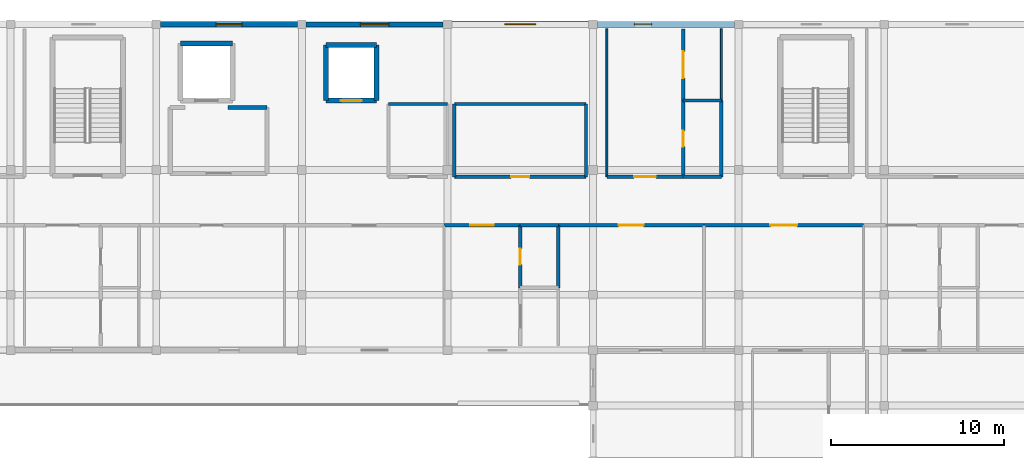
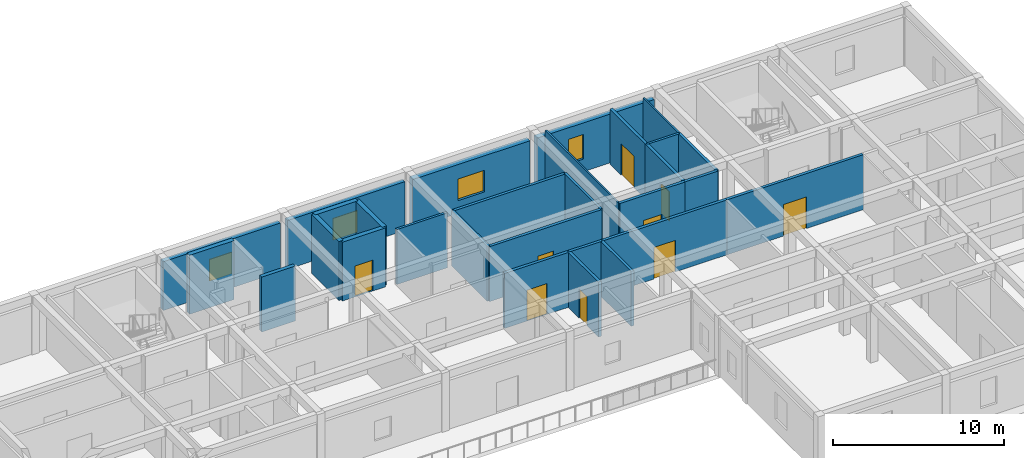
# One storey, part 17 of 26: 29 walls, 9 doors, 4 windows, 13 openings.
"""IFC4 building model written with IfcOpenShell, lengths in metres."""

from ifc_helpers import new_model, si_unit, direction, frame, frame_2d, origin, place, context, subcontext, project, spatial, rectangle, extrude, material, layer, layer_set, type_object, element, fill, save


model = new_model("IFC4")

# Units and contexts
model_context = context("Model", 3, precision=1e-05, world=origin(), true_north=direction((0.0, 1.0)))
body_context = subcontext(model_context, "Body", "Model", "MODEL_VIEW")
ifc_project = project(units=[si_unit("LENGTHUNIT", "METRE"), si_unit("AREAUNIT", "SQUARE_METRE"), si_unit("VOLUMEUNIT", "CUBIC_METRE"), si_unit("PLANEANGLEUNIT", "RADIAN"), si_unit("MASSUNIT", "GRAM", prefix="KILO")], contexts=[model_context])

# Site, building, storey
site_placement = place(None, origin())
site = spatial("IfcSite", under=ifc_project, at=site_placement, CompositionType="ELEMENT")
building_placement = place(site_placement, origin())
building = spatial("IfcBuilding", under=site, at=building_placement, Name="Varncliffe General Hospital", CompositionType="ELEMENT")
storey_placement = place(building_placement, frame((0.0, 0.0, 28.800048828125)))
storey = spatial("IfcBuildingStorey", under=building, at=storey_placement, Name="L06", CompositionType="ELEMENT", Elevation=28.800048828125)

# Wall, opening, window
ifc_material_1 = material(Name="Precast concrete C40/50 with insulated cream lime-cement stucco", Category="concrete")
ifc_layer_1 = layer(ifc_material_1, 0.31005859375)
ifc_layer_set_1 = layer_set([ifc_layer_1], Name="Precast concrete C40/50 with insulated cream lime-cement stucco")
wall_type_1 = type_object("IfcWallType", Name="Exterior Insulated Stucco Wall EW20 (310mm)", PredefinedType="SOLIDWALL", material=ifc_layer_set_1)
wall_1_placement = place(storey_placement, frame((126.248046875, 124.800048828125, 0.0), z_axis=(0.0, 0.0, 1.0), x_axis=(1.0, 0.0, 0.0)))
wall_1 = element("IfcWall", 1, at=wall_1_placement, inside=storey, type_object=wall_type_1, Name="L06 Exterior Stucco Wall EW20-519", PredefinedType="SOLIDWALL", context=body_context, shape_type="SweptSolid", body=[
    extrude(rectangle(XDim=7.904052734375, YDim=0.31005859375, at=frame_2d((3.9521484375, 0.0))), origin(), (0.0, 0.0, 1.0), 3.47998046875),
])
opening_1_placement = place(wall_1_placement, frame((3.201904296875, 0.0, 0.89990234375)))
opening_1 = element("IfcOpeningElement", 2, at=opening_1_placement, cuts=wall_1, Name="Opening WN75", PredefinedType="OPENING", context=body_context, shape_type="SweptSolid", body=[
    extrude(rectangle(XDim=1.5, YDim=1.550048828125, at=frame_2d((0.75, 0.77490234375))), frame((0.0, 0.1650390625, 0.0), z_axis=(0.0, -1.0, 0.0), x_axis=(1.0, 0.0, 0.0)), (0.0, 0.0, 1.0), 0.330078125),
])
ifc_material_2 = material(Name="Triple low-E argon insulated vision glazing", Category="glass")
window_type_1 = type_object("IfcWindowType", Name="Triple-Glazed Hospital Window WN75 (1500x1550)", PartitioningType="SINGLE_PANEL", PredefinedType="WINDOW", material=ifc_material_2)
window_1_placement = place(opening_1_placement, origin())
window_1 = element("IfcWindow", 3, at=window_1_placement, inside=storey, type_object=window_type_1, Name="L06 Hospital Window WN75-408", OverallHeight=1.550048828125, OverallWidth=1.5, PartitioningType="SINGLE_PANEL", PredefinedType="WINDOW", context=body_context, shape_type="SweptSolid", body=[
    extrude(rectangle(XDim=1.5, YDim=1.550048828125, at=frame_2d((0.75, 0.77490234375))), frame((0.0, 0.030029296875, 0.0), z_axis=(0.0, -1.0, 0.0), x_axis=(1.0, 0.0, 0.0)), (0.0, 0.0, 1.0), 0.06005859375),
])
fill(opening_1, window_1)

ifc_layer_2 = layer(ifc_material_1, 0.3798828125)
ifc_layer_set_2 = layer_set([ifc_layer_2], Name="Precast concrete C40/50 with insulated cream lime-cement stucco")
wall_type_2 = type_object("IfcWallType", Name="Exterior Insulated Stucco Wall EW26 (380mm)", PredefinedType="SOLIDWALL", material=ifc_layer_set_2)
wall_2_placement = place(storey_placement, frame((143.048095703125, 124.800048828125, 0.0), z_axis=(0.0, 0.0, 1.0), x_axis=(1.0, 0.0, 0.0)))
wall_2 = element("IfcWall", 4, at=wall_2_placement, inside=storey, type_object=wall_type_2, Name="L06 Exterior Stucco Wall EW26-521", PredefinedType="SOLIDWALL", context=body_context, shape_type="SweptSolid", body=[
    extrude(rectangle(XDim=7.90380859375, YDim=0.3798828125, at=frame_2d((3.951904296875, 0.0))), origin(), (0.0, 0.0, 1.0), 3.47998046875),
])
opening_2_placement = place(wall_2_placement, frame((3.052001953125, 0.0, 0.89990234375)))
opening_2 = element("IfcOpeningElement", 5, at=opening_2_placement, cuts=wall_2, Name="Opening WN52", PredefinedType="OPENING", context=body_context, shape_type="SweptSolid", body=[
    extrude(rectangle(XDim=1.800048828125, YDim=1.550048828125, at=frame_2d((0.89990234375, 0.77490234375))), frame((0.0, 0.199951171875, 0.0), z_axis=(0.0, -1.0, 0.0), x_axis=(1.0, 0.0, 0.0)), (0.0, 0.0, 1.0), 0.39990234375),
])
window_type_2 = type_object("IfcWindowType", Name="Triple-Glazed Hospital Window WN52 (1800x1550)", PartitioningType="DOUBLE_PANEL_VERTICAL", PredefinedType="WINDOW", material=ifc_material_2)
window_2_placement = place(opening_2_placement, origin())
window_2 = element("IfcWindow", 6, at=window_2_placement, inside=storey, type_object=window_type_2, Name="L06 Hospital Window WN52-410", OverallHeight=1.550048828125, OverallWidth=1.800048828125, PartitioningType="DOUBLE_PANEL_VERTICAL", PredefinedType="WINDOW", context=body_context, shape_type="SweptSolid", body=[
    extrude(rectangle(XDim=1.800048828125, YDim=1.550048828125, at=frame_2d((0.89990234375, 0.77490234375))), frame((0.0, 0.030029296875, 0.0), z_axis=(0.0, -1.0, 0.0), x_axis=(1.0, 0.0, 0.0)), (0.0, 0.0, 1.0), 0.06005859375),
])
fill(opening_2, window_2)

ifc_layer_3 = layer(ifc_material_1, 0.2900390625)
ifc_layer_set_3 = layer_set([ifc_layer_3], Name="Precast concrete C40/50 with insulated cream lime-cement stucco")
wall_type_3 = type_object("IfcWallType", Name="Exterior Insulated Stucco Wall EW31 (290mm)", PredefinedType="SOLIDWALL", material=ifc_layer_set_3)
wall_3_placement = place(storey_placement, frame((134.64794921875, 124.800048828125, 0.0), z_axis=(0.0, 0.0, 1.0), x_axis=(1.0, 0.0, 0.0)))
wall_3 = element("IfcWall", 7, at=wall_3_placement, inside=storey, type_object=wall_type_3, Name="L06 Exterior Stucco Wall EW31-520", PredefinedType="SOLIDWALL", context=body_context, shape_type="SweptSolid", body=[
    extrude(rectangle(XDim=7.904052734375, YDim=0.2900390625, at=frame_2d((3.9521484375, 0.0))), origin(), (0.0, 0.0, 1.0), 3.47998046875),
])
opening_3_placement = place(wall_3_placement, frame((3.126953125, 0.0, 0.89990234375)))
opening_3 = element("IfcOpeningElement", 8, at=opening_3_placement, cuts=wall_3, Name="Opening WN20", PredefinedType="OPENING", context=body_context, shape_type="SweptSolid", body=[
    extrude(rectangle(XDim=1.64990234375, YDim=1.550048828125, at=frame_2d((0.824951171875, 0.77490234375))), frame((0.0, 0.155029296875, 0.0), z_axis=(0.0, -1.0, 0.0), x_axis=(1.0, 0.0, 0.0)), (0.0, 0.0, 1.0), 0.31005859375),
])
window_type_3 = type_object("IfcWindowType", Name="Triple-Glazed Hospital Window WN20 (1650x1550)", PartitioningType="DOUBLE_PANEL_VERTICAL", PredefinedType="WINDOW", material=ifc_material_2)
window_3_placement = place(opening_3_placement, origin())
window_3 = element("IfcWindow", 9, at=window_3_placement, inside=storey, type_object=window_type_3, Name="L06 Hospital Window WN20-409", OverallHeight=1.550048828125, OverallWidth=1.64990234375, PartitioningType="DOUBLE_PANEL_VERTICAL", PredefinedType="WINDOW", context=body_context, shape_type="SweptSolid", body=[
    extrude(rectangle(XDim=1.64990234375, YDim=1.550048828125, at=frame_2d((0.824951171875, 0.77490234375))), frame((0.0, 0.030029296875, 0.0), z_axis=(0.0, -1.0, 0.0), x_axis=(1.0, 0.0, 0.0)), (0.0, 0.0, 1.0), 0.06005859375),
])
fill(opening_3, window_3)

ifc_layer_4 = layer(ifc_material_1, 0.35009765625)
ifc_layer_set_4 = layer_set([ifc_layer_4], Name="Precast concrete C40/50 with insulated cream lime-cement stucco")
wall_type_4 = type_object("IfcWallType", Name="Exterior Insulated Stucco Wall EW37 (350mm)", PredefinedType="SOLIDWALL", material=ifc_layer_set_4)
wall_4_placement = place(storey_placement, frame((151.447998046875, 124.800048828125, 0.0), z_axis=(0.0, 0.0, 1.0), x_axis=(1.0, 0.0, 0.0)))
wall_4 = element("IfcWall", 10, at=wall_4_placement, inside=storey, type_object=wall_type_4, Name="L06 Exterior Stucco Wall EW37-522", PredefinedType="SOLIDWALL", context=body_context, shape_type="SweptSolid", body=[
    extrude(rectangle(XDim=7.904052734375, YDim=0.35009765625, at=frame_2d((3.9521484375, 0.0))), origin(), (0.0, 0.0, 1.0), 3.47998046875),
])
opening_4_placement = place(wall_4_placement, frame((2.131103515625, 0.0, 0.89990234375)))
opening_4 = element("IfcOpeningElement", 11, at=opening_4_placement, cuts=wall_4, Name="Opening WN53", PredefinedType="OPENING", context=body_context, shape_type="SweptSolid", body=[
    extrude(rectangle(XDim=1.0, YDim=1.75, at=frame_2d((0.5, 0.875))), frame((0.0, 0.18505859375, 0.0), z_axis=(0.0, -1.0, 0.0), x_axis=(1.0, 0.0, 0.0)), (0.0, 0.0, 1.0), 0.3701171875),
])
window_type_4 = type_object("IfcWindowType", Name="Triple-Glazed Hospital Window WN53 (1000x1750)", PartitioningType="SINGLE_PANEL", PredefinedType="WINDOW", material=ifc_material_2)
window_4_placement = place(opening_4_placement, origin())
window_4 = element("IfcWindow", 12, at=window_4_placement, inside=storey, type_object=window_type_4, Name="L06 Hospital Window WN53-411", OverallHeight=1.75, OverallWidth=1.0, PartitioningType="SINGLE_PANEL", PredefinedType="WINDOW", context=body_context, shape_type="SweptSolid", body=[
    extrude(rectangle(XDim=1.0, YDim=1.75, at=frame_2d((0.5, 0.875))), frame((0.0, 0.030029296875, 0.0), z_axis=(0.0, -1.0, 0.0), x_axis=(1.0, 0.0, 0.0)), (0.0, 0.0, 1.0), 0.06005859375),
])
fill(opening_4, window_4)

# Walls
ifc_material_3 = material(Name="Acoustic clinical gypsum stud partition assembly", Category="gypsum")
ifc_layer_5 = layer(ifc_material_3, 0.110107421875)
ifc_layer_set_5 = layer_set([ifc_layer_5], Name="Acoustic clinical gypsum stud partition assembly")
wall_type_5 = type_object("IfcWallType", Name="Interior Partitioning IW65 (110mm)", PredefinedType="PARTITIONING", material=ifc_layer_set_5)
wall_5_placement = place(storey_placement, frame((152.0, 116.0, 0.0), z_axis=(0.0, 0.0, 1.0), x_axis=(0.0, 1.0, 0.0)))
element("IfcWall", 13, at=wall_5_placement, inside=storey, type_object=wall_type_5, Name="L06 Interior Partition Wall IW65-2312", PredefinedType="PARTITIONING", context=body_context, shape_type="SweptSolid", body=[
    extrude(rectangle(XDim=8.5400390625, YDim=0.110107421875, at=frame_2d((4.27001953125, 0.0))), origin(), (0.0, 0.0, 1.0), 3.919921875),
])
wall_6_placement = place(storey_placement, frame((158.60009765625, 120.39990234375, 0.0), z_axis=(0.0, 0.0, 1.0), x_axis=(0.0, 1.0, 0.0)))
element("IfcWall", 14, at=wall_6_placement, inside=storey, type_object=wall_type_5, Name="L06 Interior Partition Wall IW65-2317", PredefinedType="PARTITIONING", context=body_context, shape_type="SweptSolid", body=[
    extrude(rectangle(XDim=4.14013671875, YDim=0.110107421875, at=frame_2d((2.070068359375, 0.0))), origin(), (0.0, 0.0, 1.0), 3.919921875),
])
ifc_material_4 = material(Name="Fire-rated gypsum and mineral-wool partition assembly", Category="gypsum")
ifc_layer_6 = layer(ifc_material_4, 0.25)
ifc_layer_set_6 = layer_set([ifc_layer_6], Name="Fire-rated gypsum and mineral-wool partition assembly")
wall_type_6 = type_object("IfcWallType", Name="Interior Partitioning PW38 (250mm)", PredefinedType="PARTITIONING", material=ifc_layer_set_6)
wall_7_placement = place(storey_placement, frame((130.135986328125, 120.0, 0.0), z_axis=(0.0, 0.0, 1.0), x_axis=(1.0, 0.0, 0.0)))
element("IfcWall", 15, at=wall_7_placement, inside=storey, type_object=wall_type_6, Name="L06 Interior Partition Wall PW38-2253", PredefinedType="PARTITIONING", context=body_context, shape_type="SweptSolid", body=[
    extrude(rectangle(XDim=2.263916015625, YDim=0.25, at=frame_2d((1.1318359375, 0.0))), origin(), (0.0, 0.0, 1.0), 3.919921875),
])

# Wall, opening, door
ifc_layer_7 = layer(ifc_material_4, 0.199951171875)
ifc_layer_set_7 = layer_set([ifc_layer_7], Name="Fire-rated gypsum and mineral-wool partition assembly")
wall_type_7 = type_object("IfcWallType", Name="Interior Partitioning PW63 (200mm)", PredefinedType="PARTITIONING", material=ifc_layer_set_7)
wall_8_placement = place(storey_placement, frame((142.60009765625, 113.199951171875, 0.0), z_axis=(0.0, 0.0, 1.0), x_axis=(1.0, 0.0, 0.0)))
wall_8 = element("IfcWall", 16, at=wall_8_placement, inside=storey, type_object=wall_type_7, Name="L06 Interior Partition Wall PW63-2229", PredefinedType="PARTITIONING", context=body_context, shape_type="SweptSolid", body=[
    extrude(rectangle(XDim=4.39990234375, YDim=0.199951171875, at=frame_2d((2.199951171875, 0.0))), origin(), (0.0, 0.0, 1.0), 3.919921875),
])
opening_5_placement = place(wall_8_placement, frame((1.52490234375, 0.0, 0.0)))
opening_5 = element("IfcOpeningElement", 17, at=opening_5_placement, cuts=wall_8, Name="Opening DC85", PredefinedType="OPENING", context=body_context, shape_type="SweptSolid", body=[
    extrude(rectangle(XDim=1.35009765625, YDim=2.199951171875, at=frame_2d((0.675048828125, 1.10009765625))), frame((0.0, 0.10986328125, 0.0), z_axis=(0.0, -1.0, 0.0), x_axis=(1.0, 0.0, 0.0)), (0.0, 0.0, 1.0), 0.219970703125),
])
ifc_material_5 = material(Name="Fire-rated hospital steel-frame vision-panel door", Category="steel")
door_type_1 = type_object("IfcDoorType", Name="Interior Hospital Door DC85 (1350x2200)", OperationType="NOTDEFINED", PredefinedType="DOOR", material=ifc_material_5)
door_1_placement = place(opening_5_placement, frame((1.35009765625, 0.0, 0.0), z_axis=(0.0, 0.0, 1.0), x_axis=(-1.0, 0.0, 0.0)))
door_1 = element("IfcDoor", 18, at=door_1_placement, inside=storey, type_object=door_type_1, Name="L06 Paediatric Inpatient Bedroom 38 Door", OperationType="SINGLE_SWING_RIGHT", OverallHeight=2.199951171875, OverallWidth=1.35009765625, PredefinedType="DOOR", context=body_context, shape_type="SweptSolid", body=[
    extrude(rectangle(XDim=1.35009765625, YDim=2.199951171875, at=frame_2d((0.675048828125, 1.10009765625))), frame((0.0, 0.02490234375, 0.0), z_axis=(0.0, -1.0, 0.0), x_axis=(1.0, 0.0, 0.0)), (0.0, 0.0, 1.0), 0.050048828125),
])
fill(opening_5, door_1)

wall_9_placement = place(storey_placement, frame((149.199951171875, 113.199951171875, 0.0), z_axis=(0.0, 0.0, 1.0), x_axis=(1.0, 0.0, 0.0)))
wall_9 = element("IfcWall", 19, at=wall_9_placement, inside=storey, type_object=wall_type_7, Name="L06 Interior Partition Wall PW63-2231", PredefinedType="PARTITIONING", context=body_context, shape_type="SweptSolid", body=[
    extrude(rectangle(XDim=8.400146484375, YDim=0.199951171875, at=frame_2d((4.2001953125, 0.0))), origin(), (0.0, 0.0, 1.0), 3.919921875),
])
opening_6_placement = place(wall_9_placement, frame((3.47509765625, 0.0, 0.0)))
opening_6 = element("IfcOpeningElement", 20, at=opening_6_placement, cuts=wall_9, Name="Opening DC66", PredefinedType="OPENING", context=body_context, shape_type="SweptSolid", body=[
    extrude(rectangle(XDim=1.449951171875, YDim=2.25, at=frame_2d((0.72509765625, 1.125))), frame((0.0, 0.10986328125, 0.0), z_axis=(0.0, -1.0, 0.0), x_axis=(1.0, 0.0, 0.0)), (0.0, 0.0, 1.0), 0.219970703125),
])
door_type_2 = type_object("IfcDoorType", Name="Interior Hospital Door DC66 (1450x2250)", OperationType="NOTDEFINED", PredefinedType="DOOR", material=ifc_material_5)
door_2_placement = place(opening_6_placement, frame((1.449951171875, 0.0, 0.0), z_axis=(0.0, 0.0, 1.0), x_axis=(-1.0, 0.0, 0.0)))
door_2 = element("IfcDoor", 21, at=door_2_placement, inside=storey, type_object=door_type_2, Name="L06 Paediatric Playroom and Daylight Lounge 41 Door", OperationType="SINGLE_SWING_LEFT", OverallHeight=2.25, OverallWidth=1.449951171875, PredefinedType="DOOR", context=body_context, shape_type="SweptSolid", body=[
    extrude(rectangle(XDim=1.449951171875, YDim=2.25, at=frame_2d((0.72509765625, 1.125))), frame((0.0, 0.02490234375, 0.0), z_axis=(0.0, -1.0, 0.0), x_axis=(1.0, 0.0, 0.0)), (0.0, 0.0, 1.0), 0.050048828125),
])
fill(opening_6, door_2)

wall_10_placement = place(storey_placement, frame((157.60009765625, 113.199951171875, 0.0), z_axis=(0.0, 0.0, 1.0), x_axis=(1.0, 0.0, 0.0)))
wall_10 = element("IfcWall", 22, at=wall_10_placement, inside=storey, type_object=wall_type_7, Name="L06 Interior Partition Wall PW63-2232", PredefinedType="PARTITIONING", context=body_context, shape_type="SweptSolid", body=[
    extrude(rectangle(XDim=9.199951171875, YDim=0.199951171875, at=frame_2d((4.60009765625, 0.0))), origin(), (0.0, 0.0, 1.0), 3.919921875),
])
opening_7_placement = place(wall_10_placement, frame((3.824951171875, 0.0, 0.0)))
opening_7 = element("IfcOpeningElement", 23, at=opening_7_placement, cuts=wall_10, Name="Opening DC67", PredefinedType="OPENING", context=body_context, shape_type="SweptSolid", body=[
    extrude(rectangle(XDim=1.550048828125, YDim=2.25, at=frame_2d((0.77490234375, 1.125))), frame((0.0, 0.10986328125, 0.0), z_axis=(0.0, -1.0, 0.0), x_axis=(1.0, 0.0, 0.0)), (0.0, 0.0, 1.0), 0.219970703125),
])
door_type_3 = type_object("IfcDoorType", Name="Interior Hospital Door DC67 (1550x2250)", OperationType="NOTDEFINED", PredefinedType="DOOR", material=ifc_material_5)
door_3_placement = place(opening_7_placement, frame((1.550048828125, 0.0, 0.0), z_axis=(0.0, 0.0, 1.0), x_axis=(-1.0, 0.0, 0.0)))
door_3 = element("IfcDoor", 24, at=door_3_placement, inside=storey, type_object=door_type_3, Name="L06 Neonatal Intensive Care Nursery NICU 42 Door", OperationType="SINGLE_SWING_RIGHT", OverallHeight=2.25, OverallWidth=1.550048828125, PredefinedType="DOOR", context=body_context, shape_type="SweptSolid", body=[
    extrude(rectangle(XDim=1.550048828125, YDim=2.25, at=frame_2d((0.77490234375, 1.125))), frame((0.0, 0.02490234375, 0.0), z_axis=(0.0, -1.0, 0.0), x_axis=(1.0, 0.0, 0.0)), (0.0, 0.0, 1.0), 0.050048828125),
])
fill(opening_7, door_3)

wall_11_placement = place(storey_placement, frame((143.199951171875, 116.0, 0.0), z_axis=(0.0, 0.0, 1.0), x_axis=(1.0, 0.0, 0.0)))
wall_11 = element("IfcWall", 25, at=wall_11_placement, inside=storey, type_object=wall_type_7, Name="L06 Interior Partition Wall PW63-2242", PredefinedType="PARTITIONING", context=body_context, shape_type="SweptSolid", body=[
    extrude(rectangle(XDim=7.60009765625, YDim=0.199951171875, at=frame_2d((3.800048828125, 0.0))), origin(), (0.0, 0.0, 1.0), 3.919921875),
])
opening_8_placement = place(wall_11_placement, frame((3.280029296875, 0.0, 0.0)))
opening_8 = element("IfcOpeningElement", 26, at=opening_8_placement, cuts=wall_11, Name="Opening DI77", PredefinedType="OPENING", context=body_context, shape_type="SweptSolid", body=[
    extrude(rectangle(XDim=1.0400390625, YDim=2.10009765625, at=frame_2d((0.52001953125, 1.050048828125))), frame((0.0, 0.10986328125, 0.0), z_axis=(0.0, -1.0, 0.0), x_axis=(1.0, 0.0, 0.0)), (0.0, 0.0, 1.0), 0.219970703125),
])
ifc_material_6 = material(Name="Solid-core antimicrobial hospital oak veneer door", Category="wood")
door_type_4 = type_object("IfcDoorType", Name="Interior Hospital Door DI77 (1040x2100)", OperationType="NOTDEFINED", PredefinedType="DOOR", material=ifc_material_6)
door_4_placement = place(opening_8_placement, origin())
door_4 = element("IfcDoor", 27, at=door_4_placement, inside=storey, type_object=door_type_4, Name="L06 Staff and Visitor WC L06-NE Door", OperationType="SINGLE_SWING_LEFT", OverallHeight=2.10009765625, OverallWidth=1.0400390625, PredefinedType="DOOR", context=body_context, shape_type="SweptSolid", body=[
    extrude(rectangle(XDim=1.0400390625, YDim=2.10009765625, at=frame_2d((0.52001953125, 1.050048828125))), frame((0.0, 0.02490234375, 0.0), z_axis=(0.0, -1.0, 0.0), x_axis=(1.0, 0.0, 0.0)), (0.0, 0.0, 1.0), 0.050048828125),
])
fill(opening_8, door_4)

wall_12_placement = place(storey_placement, frame((152.0, 116.0, 0.0), z_axis=(0.0, 0.0, 1.0), x_axis=(1.0, 0.0, 0.0)))
wall_12 = element("IfcWall", 28, at=wall_12_placement, inside=storey, type_object=wall_type_7, Name="L06 Interior Partition Wall PW63-2243", PredefinedType="PARTITIONING", context=body_context, shape_type="SweptSolid", body=[
    extrude(rectangle(XDim=4.39990234375, YDim=0.199951171875, at=frame_2d((2.199951171875, 0.0))), origin(), (0.0, 0.0, 1.0), 3.919921875),
])
opening_9_placement = place(wall_12_placement, frame((1.574951171875, 0.0, 0.0)))
opening_9 = element("IfcOpeningElement", 29, at=opening_9_placement, cuts=wall_12, Name="Opening DC44", PredefinedType="OPENING", context=body_context, shape_type="SweptSolid", body=[
    extrude(rectangle(XDim=1.25, YDim=2.14990234375, at=frame_2d((0.625, 1.074951171875))), frame((0.0, 0.10986328125, 0.0), z_axis=(0.0, -1.0, 0.0), x_axis=(1.0, 0.0, 0.0)), (0.0, 0.0, 1.0), 0.219970703125),
])
door_type_5 = type_object("IfcDoorType", Name="Interior Hospital Door DC44 (1250x2150)", OperationType="NOTDEFINED", PredefinedType="DOOR", material=ifc_material_5)
door_5_placement = place(opening_9_placement, origin())
door_5 = element("IfcDoor", 30, at=door_5_placement, inside=storey, type_object=door_type_5, Name="L06 Paediatric Inpatient Bedroom 50 Door", OperationType="SINGLE_SWING_RIGHT", OverallHeight=2.14990234375, OverallWidth=1.25, PredefinedType="DOOR", context=body_context, shape_type="SweptSolid", body=[
    extrude(rectangle(XDim=1.25, YDim=2.14990234375, at=frame_2d((0.625, 1.074951171875))), frame((0.0, 0.02490234375, 0.0), z_axis=(0.0, -1.0, 0.0), x_axis=(1.0, 0.0, 0.0)), (0.0, 0.0, 1.0), 0.050048828125),
])
fill(opening_9, door_5)

wall_13_placement = place(storey_placement, frame((147.0, 109.60009765625, 0.0), z_axis=(0.0, 0.0, 1.0), x_axis=(0.0, 1.0, 0.0)))
wall_13 = element("IfcWall", 31, at=wall_13_placement, inside=storey, type_object=wall_type_7, Name="L06 Interior Partition Wall PW63-2308", PredefinedType="PARTITIONING", context=body_context, shape_type="SweptSolid", body=[
    extrude(rectangle(XDim=3.599853515625, YDim=0.199951171875, at=frame_2d((1.7998046875, 0.0))), origin(), (0.0, 0.0, 1.0), 3.919921875),
])
opening_10_placement = place(wall_13_placement, frame((1.340087890625, 0.0, 0.0)))
opening_10 = element("IfcOpeningElement", 32, at=opening_10_placement, cuts=wall_13, Name="Opening DI70", PredefinedType="OPENING", context=body_context, shape_type="SweptSolid", body=[
    extrude(rectangle(XDim=0.919921875, YDim=2.10009765625, at=frame_2d((0.4599609375, 1.050048828125))), frame((0.0, 0.10986328125, 0.0), z_axis=(0.0, -1.0, 0.0), x_axis=(1.0, 0.0, 0.0)), (0.0, 0.0, 1.0), 0.219970703125),
])
door_type_6 = type_object("IfcDoorType", Name="Interior Hospital Door DI70 (920x2100)", OperationType="NOTDEFINED", PredefinedType="DOOR", material=ifc_material_6)
door_6_placement = place(opening_10_placement, frame((0.919921875, 0.0, 0.0), z_axis=(0.0, 0.0, 1.0), x_axis=(-1.0, 0.0, 0.0)))
door_6 = element("IfcDoor", 33, at=door_6_placement, inside=storey, type_object=door_type_6, Name="L06 En-Suite Bathroom 39 Door", OperationType="SINGLE_SWING_RIGHT", OverallHeight=2.10009765625, OverallWidth=0.919921875, PredefinedType="DOOR", context=body_context, shape_type="SweptSolid", body=[
    extrude(rectangle(XDim=0.919921875, YDim=2.10009765625, at=frame_2d((0.4599609375, 1.050048828125))), frame((0.0, 0.02490234375, 0.0), z_axis=(0.0, -1.0, 0.0), x_axis=(1.0, 0.0, 0.0)), (0.0, 0.0, 1.0), 0.050048828125),
])
fill(opening_10, door_6)

wall_14_placement = place(storey_placement, frame((156.39990234375, 116.0, 0.0), z_axis=(0.0, 0.0, 1.0), x_axis=(0.0, 1.0, 0.0)))
wall_14 = element("IfcWall", 34, at=wall_14_placement, inside=storey, type_object=wall_type_7, Name="L06 Interior Partition Wall PW63-2313", PredefinedType="PARTITIONING", context=body_context, shape_type="SweptSolid", body=[
    extrude(rectangle(XDim=4.39990234375, YDim=0.199951171875, at=frame_2d((2.199951171875, 0.0))), origin(), (0.0, 0.0, 1.0), 3.919921875),
])
opening_11_placement = place(wall_14_placement, frame((1.739990234375, 0.0, 0.0)))
opening_11 = element("IfcOpeningElement", 35, at=opening_11_placement, cuts=wall_14, Name="Opening DI70", PredefinedType="OPENING", context=body_context, shape_type="SweptSolid", body=[
    extrude(rectangle(XDim=0.919921875, YDim=2.10009765625, at=frame_2d((0.4599609375, 1.050048828125))), frame((0.0, 0.10986328125, 0.0), z_axis=(0.0, -1.0, 0.0), x_axis=(1.0, 0.0, 0.0)), (0.0, 0.0, 1.0), 0.219970703125),
])
door_7_placement = place(opening_11_placement, frame((0.919921875, 0.0, 0.0), z_axis=(0.0, 0.0, 1.0), x_axis=(-1.0, 0.0, 0.0)))
door_7 = element("IfcDoor", 36, at=door_7_placement, inside=storey, type_object=door_type_6, Name="L06 En-Suite Bathroom 51 Door", OperationType="SINGLE_SWING_LEFT", OverallHeight=2.10009765625, OverallWidth=0.919921875, PredefinedType="DOOR", context=body_context, shape_type="SweptSolid", body=[
    extrude(rectangle(XDim=0.919921875, YDim=2.10009765625, at=frame_2d((0.4599609375, 1.050048828125))), frame((0.0, 0.02490234375, 0.0), z_axis=(0.0, -1.0, 0.0), x_axis=(1.0, 0.0, 0.0)), (0.0, 0.0, 1.0), 0.050048828125),
])
fill(opening_11, door_7)

wall_15_placement = place(storey_placement, frame((156.39990234375, 120.39990234375, 0.0), z_axis=(0.0, 0.0, 1.0), x_axis=(0.0, 1.0, 0.0)))
wall_15 = element("IfcWall", 37, at=wall_15_placement, inside=storey, type_object=wall_type_7, Name="L06 Interior Partition Wall PW63-2314", PredefinedType="PARTITIONING", context=body_context, shape_type="SweptSolid", body=[
    extrude(rectangle(XDim=4.14013671875, YDim=0.199951171875, at=frame_2d((2.070068359375, 0.0))), origin(), (0.0, 0.0, 1.0), 3.919921875),
])
opening_12_placement = place(wall_15_placement, frame((1.294921875, 0.0, 0.0)))
opening_12 = element("IfcOpeningElement", 38, at=opening_12_placement, cuts=wall_15, Name="Opening DC67", PredefinedType="OPENING", context=body_context, shape_type="SweptSolid", body=[
    extrude(rectangle(XDim=1.550048828125, YDim=2.25, at=frame_2d((0.77490234375, 1.125))), frame((0.0, 0.10986328125, 0.0), z_axis=(0.0, -1.0, 0.0), x_axis=(1.0, 0.0, 0.0)), (0.0, 0.0, 1.0), 0.219970703125),
])
door_8_placement = place(opening_12_placement, frame((1.550048828125, 0.0, 0.0), z_axis=(0.0, 0.0, 1.0), x_axis=(-1.0, 0.0, 0.0)))
door_8 = element("IfcDoor", 39, at=door_8_placement, inside=storey, type_object=door_type_3, Name="L06 Patient Medication and Hygiene Bay 52 Door", OperationType="SINGLE_SWING_RIGHT", OverallHeight=2.25, OverallWidth=1.550048828125, PredefinedType="DOOR", context=body_context, shape_type="SweptSolid", body=[
    extrude(rectangle(XDim=1.550048828125, YDim=2.25, at=frame_2d((0.77490234375, 1.125))), frame((0.0, 0.02490234375, 0.0), z_axis=(0.0, -1.0, 0.0), x_axis=(1.0, 0.0, 0.0)), (0.0, 0.0, 1.0), 0.050048828125),
])
fill(opening_12, door_8)

# Walls
ifc_material_7 = material(Name="Moisture-resistant plumbing chase wall assembly", Category="gypsum")
ifc_layer_8 = layer(ifc_material_7, 0.18994140625)
ifc_layer_set_8 = layer_set([ifc_layer_8], Name="Moisture-resistant plumbing chase wall assembly")
wall_type_8 = type_object("IfcWallType", Name="Interior Plumbingwall MW17 (190mm)", PredefinedType="PLUMBINGWALL", material=ifc_layer_set_8)
wall_16_placement = place(storey_placement, frame((147.0, 113.199951171875, 0.0), z_axis=(0.0, 0.0, 1.0), x_axis=(1.0, 0.0, 0.0)))
element("IfcWall", 40, at=wall_16_placement, inside=storey, type_object=wall_type_8, Name="L06 Interior Plumbing Wall MW17-2230", PredefinedType="PLUMBINGWALL", context=body_context, shape_type="SweptSolid", body=[
    extrude(rectangle(XDim=2.199951171875, YDim=0.18994140625, at=frame_2d((1.10009765625, 0.0))), origin(), (0.0, 0.0, 1.0), 3.919921875),
])
wall_17_placement = place(storey_placement, frame((156.39990234375, 116.0, 0.0), z_axis=(0.0, 0.0, 1.0), x_axis=(1.0, 0.0, 0.0)))
element("IfcWall", 41, at=wall_17_placement, inside=storey, type_object=wall_type_8, Name="L06 Interior Plumbing Wall MW17-2244", PredefinedType="PLUMBINGWALL", context=body_context, shape_type="SweptSolid", body=[
    extrude(rectangle(XDim=2.2001953125, YDim=0.18994140625, at=frame_2d((1.10009765625, 0.0))), origin(), (0.0, 0.0, 1.0), 3.919921875),
])
wall_18_placement = place(storey_placement, frame((143.199951171875, 120.199951171875, 0.0), z_axis=(0.0, 0.0, 1.0), x_axis=(1.0, 0.0, 0.0)))
element("IfcWall", 42, at=wall_18_placement, inside=storey, type_object=wall_type_8, Name="L06 Interior Plumbing Wall MW17-2258", PredefinedType="PLUMBINGWALL", context=body_context, shape_type="SweptSolid", body=[
    extrude(rectangle(XDim=7.60009765625, YDim=0.18994140625, at=frame_2d((3.800048828125, 0.0))), origin(), (0.0, 0.0, 1.0), 3.919921875),
])
wall_19_placement = place(storey_placement, frame((143.199951171875, 116.0, 0.0), z_axis=(0.0, 0.0, 1.0), x_axis=(0.0, 1.0, 0.0)))
element("IfcWall", 43, at=wall_19_placement, inside=storey, type_object=wall_type_8, Name="L06 Interior Plumbing Wall MW17-2306", PredefinedType="PLUMBINGWALL", context=body_context, shape_type="SweptSolid", body=[
    extrude(rectangle(XDim=4.199951171875, YDim=0.18994140625, at=frame_2d((2.10009765625, 0.0))), origin(), (0.0, 0.0, 1.0), 3.919921875),
])
wall_20_placement = place(storey_placement, frame((149.199951171875, 109.60009765625, 0.0), z_axis=(0.0, 0.0, 1.0), x_axis=(0.0, 1.0, 0.0)))
element("IfcWall", 44, at=wall_20_placement, inside=storey, type_object=wall_type_8, Name="L06 Interior Plumbing Wall MW17-2310", PredefinedType="PLUMBINGWALL", context=body_context, shape_type="SweptSolid", body=[
    extrude(rectangle(XDim=3.599853515625, YDim=0.18994140625, at=frame_2d((1.7998046875, 0.0))), origin(), (0.0, 0.0, 1.0), 3.919921875),
])
wall_21_placement = place(storey_placement, frame((158.60009765625, 116.0, 0.0), z_axis=(0.0, 0.0, 1.0), x_axis=(0.0, 1.0, 0.0)))
element("IfcWall", 45, at=wall_21_placement, inside=storey, type_object=wall_type_8, Name="L06 Interior Plumbing Wall MW17-2316", PredefinedType="PLUMBINGWALL", context=body_context, shape_type="SweptSolid", body=[
    extrude(rectangle(XDim=4.39990234375, YDim=0.18994140625, at=frame_2d((2.199951171875, 0.0))), origin(), (0.0, 0.0, 1.0), 3.919921875),
])
ifc_layer_9 = layer(ifc_material_7, 0.159912109375)
ifc_layer_set_9 = layer_set([ifc_layer_9], Name="Moisture-resistant plumbing chase wall assembly")
wall_type_9 = type_object("IfcWallType", Name="Interior Plumbingwall MW31 (160mm)", PredefinedType="PLUMBINGWALL", material=ifc_layer_set_9)
wall_22_placement = place(storey_placement, frame((139.39990234375, 120.199951171875, 0.0), z_axis=(0.0, 0.0, 1.0), x_axis=(1.0, 0.0, 0.0)))
element("IfcWall", 46, at=wall_22_placement, inside=storey, type_object=wall_type_9, Name="L06 Interior Plumbing Wall MW31-2257", PredefinedType="PLUMBINGWALL", context=body_context, shape_type="SweptSolid", body=[
    extrude(rectangle(XDim=3.400146484375, YDim=0.159912109375, at=frame_2d((1.7001953125, 0.0))), origin(), (0.0, 0.0, 1.0), 3.919921875),
])
wall_23_placement = place(storey_placement, frame((156.39990234375, 120.39990234375, 0.0), z_axis=(0.0, 0.0, 1.0), x_axis=(1.0, 0.0, 0.0)))
element("IfcWall", 47, at=wall_23_placement, inside=storey, type_object=wall_type_9, Name="L06 Interior Plumbing Wall MW31-2259", PredefinedType="PLUMBINGWALL", context=body_context, shape_type="SweptSolid", body=[
    extrude(rectangle(XDim=2.2001953125, YDim=0.159912109375, at=frame_2d((1.10009765625, 0.0))), origin(), (0.0, 0.0, 1.0), 3.919921875),
])
wall_24_placement = place(storey_placement, frame((150.800048828125, 116.0, 0.0), z_axis=(0.0, 0.0, 1.0), x_axis=(0.0, 1.0, 0.0)))
element("IfcWall", 48, at=wall_24_placement, inside=storey, type_object=wall_type_9, Name="L06 Interior Plumbing Wall MW31-2311", PredefinedType="PLUMBINGWALL", context=body_context, shape_type="SweptSolid", body=[
    extrude(rectangle(XDim=4.199951171875, YDim=0.159912109375, at=frame_2d((2.10009765625, 0.0))), origin(), (0.0, 0.0, 1.0), 3.919921875),
])
ifc_material_8 = material(Name="Concrete C40/50 (CSA A23.1 40 MPa)", Category="concrete")
ifc_layer_10 = layer(ifc_material_8, 0.300048828125)
ifc_layer_set_10 = layer_set([ifc_layer_10], Name="Concrete C40/50 (CSA A23.1 40 MPa)")
wall_type_10 = type_object("IfcWallType", Name="Reinforced Concrete Core Shear Wall CW12 (300mm)", PredefinedType="SHEAR", material=ifc_layer_set_10)
wall_25_placement = place(storey_placement, frame((130.39990234375, 123.699951171875, 0.0), z_axis=(0.0, 0.0, 1.0), x_axis=(-1.0, 0.0, 0.0)))
element("IfcWall", 49, at=wall_25_placement, inside=storey, type_object=wall_type_10, Name="L06 LF03 Elevator Shaft Wall North", PredefinedType="SHEAR", context=body_context, shape_type="SweptSolid", body=[
    extrude(rectangle(XDim=3.0, YDim=0.300048828125, at=frame_2d((1.5, 0.0))), origin(), (0.0, 0.0, 1.0), 4.199951171875),
])

# Wall, opening, door
wall_26_placement = place(storey_placement, frame((135.800048828125, 120.39990234375, 0.0), z_axis=(0.0, 0.0, 1.0), x_axis=(1.0, 0.0, 0.0)))
wall_26 = element("IfcWall", 50, at=wall_26_placement, inside=storey, type_object=wall_type_10, Name="L06 LF05 Elevator Shaft Wall South", PredefinedType="SHEAR", context=body_context, shape_type="SweptSolid", body=[
    extrude(rectangle(XDim=2.89990234375, YDim=0.300048828125, at=frame_2d((1.449951171875, 0.0))), origin(), (0.0, 0.0, 1.0), 4.199951171875),
])
opening_13_placement = place(wall_26_placement, frame((0.85009765625, 0.0, 0.0)))
opening_13 = element("IfcOpeningElement", 51, at=opening_13_placement, cuts=wall_26, Name="Opening LD01", PredefinedType="OPENING", context=body_context, shape_type="SweptSolid", body=[
    extrude(rectangle(XDim=1.199951171875, YDim=2.199951171875, at=frame_2d((0.60009765625, 1.10009765625))), frame((0.0, 0.16015625, 0.0), z_axis=(0.0, -1.0, 0.0), x_axis=(1.0, 0.0, 0.0)), (0.0, 0.0, 1.0), 0.320068359375),
])
ifc_material_9 = material(Name="Brushed stainless-steel sliding elevator landing door", Category="steel")
door_type_7 = type_object("IfcDoorType", Name="Lift Landing Door LD01 (1200x2200)", OperationType="DOUBLE_DOOR_SLIDING", PredefinedType="DOOR", material=ifc_material_9)
door_9_placement = place(opening_13_placement, origin())
door_9 = element("IfcDoor", 52, at=door_9_placement, inside=storey, type_object=door_type_7, Name="Lift Landing Door LF05 L06", OperationType="DOUBLE_DOOR_SLIDING", OverallHeight=2.199951171875, OverallWidth=1.199951171875, PredefinedType="DOOR", context=body_context, shape_type="SweptSolid", body=[
    extrude(rectangle(XDim=1.199951171875, YDim=2.199951171875, at=frame_2d((0.60009765625, 1.10009765625))), frame((0.0, 0.02490234375, 0.0), z_axis=(0.0, -1.0, 0.0), x_axis=(1.0, 0.0, 0.0)), (0.0, 0.0, 1.0), 0.050048828125),
])
fill(opening_13, door_9)

# Walls
wall_27_placement = place(storey_placement, frame((138.699951171875, 120.39990234375, 0.0), z_axis=(0.0, 0.0, 1.0), x_axis=(0.0, 1.0, 0.0)))
element("IfcWall", 53, at=wall_27_placement, inside=storey, type_object=wall_type_10, Name="L06 LF05 Elevator Shaft Wall East", PredefinedType="SHEAR", context=body_context, shape_type="SweptSolid", body=[
    extrude(rectangle(XDim=3.2001953125, YDim=0.300048828125, at=frame_2d((1.60009765625, 0.0))), origin(), (0.0, 0.0, 1.0), 4.199951171875),
])
wall_28_placement = place(storey_placement, frame((138.699951171875, 123.60009765625, 0.0), z_axis=(0.0, 0.0, 1.0), x_axis=(-1.0, 0.0, 0.0)))
element("IfcWall", 54, at=wall_28_placement, inside=storey, type_object=wall_type_10, Name="L06 LF05 Elevator Shaft Wall North", PredefinedType="SHEAR", context=body_context, shape_type="SweptSolid", body=[
    extrude(rectangle(XDim=2.89990234375, YDim=0.300048828125, at=frame_2d((1.449951171875, 0.0))), origin(), (0.0, 0.0, 1.0), 4.199951171875),
])
wall_29_placement = place(storey_placement, frame((135.800048828125, 123.60009765625, 0.0), z_axis=(0.0, 0.0, 1.0), x_axis=(0.0, -1.0, 0.0)))
element("IfcWall", 55, at=wall_29_placement, inside=storey, type_object=wall_type_10, Name="L06 LF05 Elevator Shaft Wall West", PredefinedType="SHEAR", context=body_context, shape_type="SweptSolid", body=[
    extrude(rectangle(XDim=3.2001953125, YDim=0.300048828125, at=frame_2d((1.60009765625, 0.0))), origin(), (0.0, 0.0, 1.0), 4.199951171875),
])

save(model, "model.ifc")
